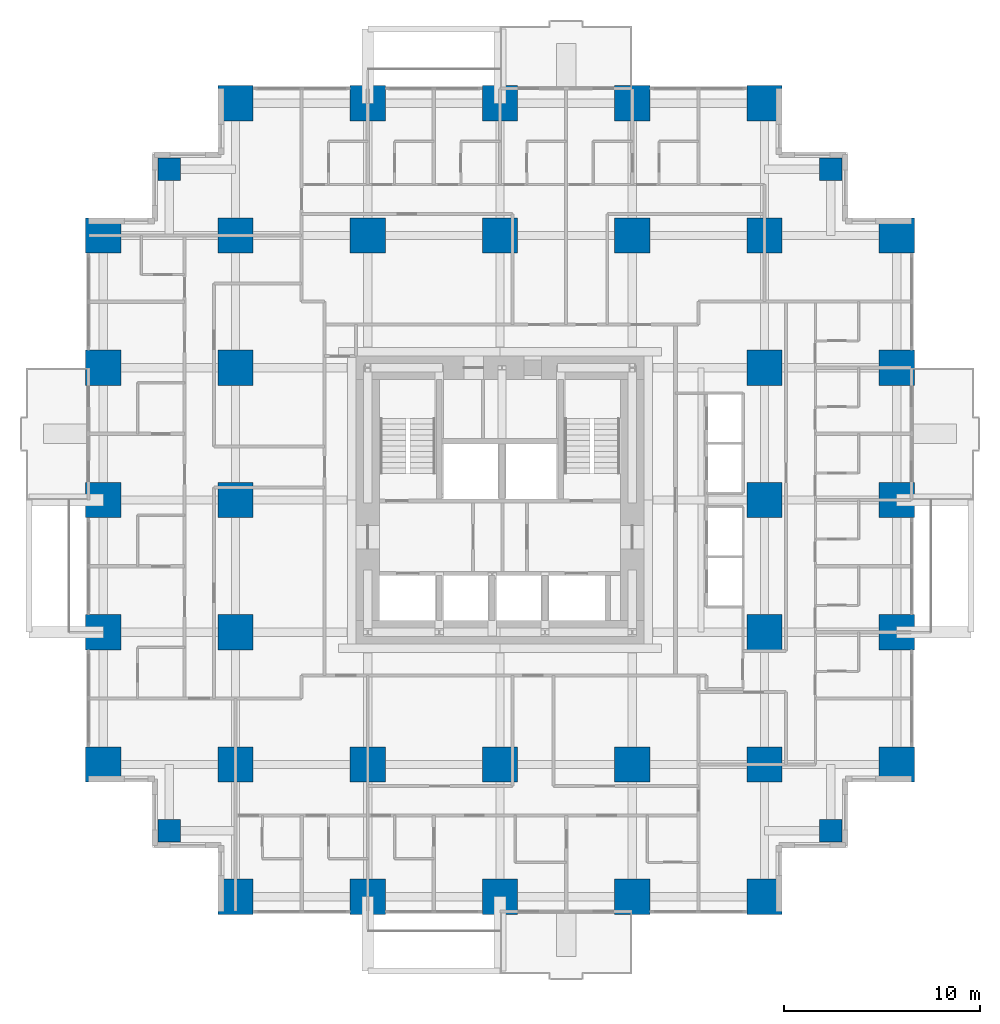
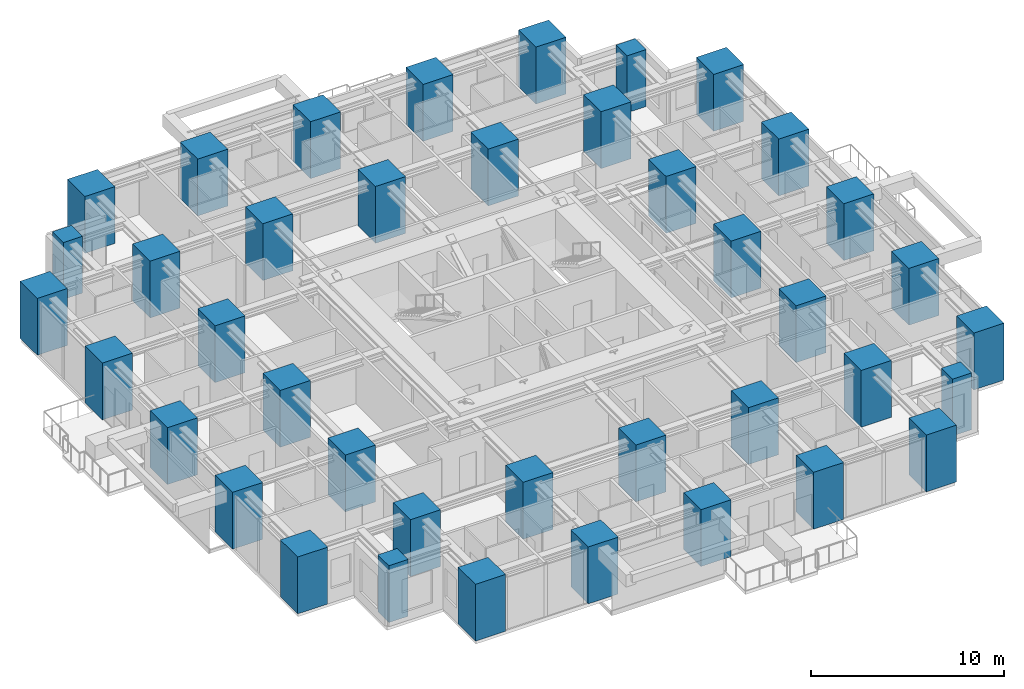
# One storey, part 1 of 14: 40 columns.
"""IFC4 building model written with IfcOpenShell, lengths in metres."""

from ifc_helpers import new_model, si_unit, direction, frame, origin, origin_2d, place, context, subcontext, project, spatial, rectangle, extrude, material, material_profile, profile_set, type_object, element, save


model = new_model("IFC4")

# Units and contexts
model_context = context("Model", 3, precision=1e-05, world=origin(), true_north=direction((0.0, 1.0)))
body_context = subcontext(model_context, "Body", "Model", "MODEL_VIEW")
ifc_project = project(units=[si_unit("LENGTHUNIT", "METRE"), si_unit("AREAUNIT", "SQUARE_METRE"), si_unit("VOLUMEUNIT", "CUBIC_METRE"), si_unit("PLANEANGLEUNIT", "RADIAN"), si_unit("MASSUNIT", "GRAM", prefix="KILO")], contexts=[model_context])

# Site, building, storey
site_placement = place(None, origin())
site = spatial("IfcSite", under=ifc_project, at=site_placement, CompositionType="ELEMENT")
building_placement = place(site_placement, origin())
building = spatial("IfcBuilding", under=site, at=building_placement, Name="Nyansa Garden Tower", CompositionType="ELEMENT")
storey_placement = place(building_placement, frame((0.0, 0.0, 50.39990234375)))
storey = spatial("IfcBuildingStorey", under=building, at=storey_placement, Name="L13", CompositionType="ELEMENT", Elevation=50.39990234375)

# Columns
ifc_material_1 = material(Name="Concrete C70/85", Category="concrete")
ifc_material_profile_1 = material_profile(ifc_material_1, rectangle(XDim=1.14990234375, YDim=1.14990234375, at=origin_2d()), Name="RC 1150x1150")
ifc_profile_set_1 = profile_set([ifc_material_profile_1], Name="Concrete C70/85")
column_type_1 = type_object("IfcColumnType", Name="Column C115 RC 1150x1150", PredefinedType="COLUMN", material=ifc_profile_set_1)
for number, where, z_axis, x_axis, name in (
    (1, (3.375, 3.375, 0.0), (0.0, 0.0, 1.0), (1.0, 0.0, 0.0), "Column x3.375/y3.375 L13"),
    (2, (3.375, 37.125, 0.0), (0.0, 0.0, 1.0), (1.0, 0.0, 0.0), "Column x3.375/y37.125 L13"),
    (3, (37.125, 3.375, 0.0), (0.0, 0.0, 1.0), (1.0, 0.0, 0.0), "Column x37.125/y3.375 L13"),
    (4, (37.125, 37.125, 0.0), (0.0, 0.0, 1.0), (1.0, 0.0, 0.0), "Column x37.125/y37.125 L13"),
):
    element("IfcColumn", number, at=place(storey_placement, frame(where, z_axis=z_axis, x_axis=x_axis)), inside=storey, type_object=column_type_1, Name=name, PredefinedType="COLUMN", context=body_context, shape_type="SweptSolid", body=[
        extrude(rectangle(XDim=1.14990234375, YDim=1.14990234375, at=origin_2d()), origin(), (0.0, 0.0, 1.0), 3.60009765625),
    ])
ifc_material_2 = material(Name="Concrete C80/95", Category="concrete")
ifc_material_profile_2 = material_profile(ifc_material_2, rectangle(XDim=1.800048828125, YDim=1.800048828125, at=origin_2d()), Name="RC 1800x1800")
ifc_profile_set_2 = profile_set([ifc_material_profile_2], Name="Concrete C80/95")
column_type_2 = type_object("IfcColumnType", Name="Column C180 RC 1800x1800", PredefinedType="COLUMN", material=ifc_profile_set_2)
for number, where, z_axis, x_axis, name in (
    (5, (0.0, 6.75, 0.0), (0.0, 0.0, 1.0), (1.0, 0.0, 0.0), "Column 2/E L13"),
    (6, (0.0, 13.5, 0.0), (0.0, 0.0, 1.0), (1.0, 0.0, 0.0), "Column 2/F L13"),
    (7, (0.0, 20.25, 0.0), (0.0, 0.0, 1.0), (1.0, 0.0, 0.0), "Column 2/G L13"),
    (8, (0.0, 27.0, 0.0), (0.0, 0.0, 1.0), (1.0, 0.0, 0.0), "Column 2/H L13"),
    (9, (0.0, 33.75, 0.0), (0.0, 0.0, 1.0), (1.0, 0.0, 0.0), "Column 2/J L13"),
    (10, (6.75, 0.0, 0.0), (0.0, 0.0, 1.0), (1.0, 0.0, 0.0), "Column 3/D L13"),
    (11, (6.75, 6.75, 0.0), (0.0, 0.0, 1.0), (1.0, 0.0, 0.0), "Column 3/E L13"),
    (12, (6.75, 13.5, 0.0), (0.0, 0.0, 1.0), (1.0, 0.0, 0.0), "Column 3/F L13"),
    (13, (6.75, 20.25, 0.0), (0.0, 0.0, 1.0), (1.0, 0.0, 0.0), "Column 3/G L13"),
    (14, (6.75, 27.0, 0.0), (0.0, 0.0, 1.0), (1.0, 0.0, 0.0), "Column 3/H L13"),
    (15, (6.75, 33.75, 0.0), (0.0, 0.0, 1.0), (1.0, 0.0, 0.0), "Column 3/J L13"),
    (16, (6.75, 40.5, 0.0), (0.0, 0.0, 1.0), (1.0, 0.0, 0.0), "Column 3/K L13"),
    (17, (13.5, 0.0, 0.0), (0.0, 0.0, 1.0), (1.0, 0.0, 0.0), "Column 4/D L13"),
    (18, (13.5, 6.75, 0.0), (0.0, 0.0, 1.0), (1.0, 0.0, 0.0), "Column 4/E L13"),
    (19, (13.5, 33.75, 0.0), (0.0, 0.0, 1.0), (1.0, 0.0, 0.0), "Column 4/J L13"),
    (20, (13.5, 40.5, 0.0), (0.0, 0.0, 1.0), (1.0, 0.0, 0.0), "Column 4/K L13"),
    (21, (20.25, 0.0, 0.0), (0.0, 0.0, 1.0), (1.0, 0.0, 0.0), "Column 5/D L13"),
    (22, (20.25, 6.75, 0.0), (0.0, 0.0, 1.0), (1.0, 0.0, 0.0), "Column 5/E L13"),
    (23, (20.25, 33.75, 0.0), (0.0, 0.0, 1.0), (1.0, 0.0, 0.0), "Column 5/J L13"),
    (24, (20.25, 40.5, 0.0), (0.0, 0.0, 1.0), (1.0, 0.0, 0.0), "Column 5/K L13"),
    (25, (27.0, 0.0, 0.0), (0.0, 0.0, 1.0), (1.0, 0.0, 0.0), "Column 6/D L13"),
    (26, (27.0, 6.75, 0.0), (0.0, 0.0, 1.0), (1.0, 0.0, 0.0), "Column 6/E L13"),
    (27, (27.0, 33.75, 0.0), (0.0, 0.0, 1.0), (1.0, 0.0, 0.0), "Column 6/J L13"),
    (28, (27.0, 40.5, 0.0), (0.0, 0.0, 1.0), (1.0, 0.0, 0.0), "Column 6/K L13"),
    (29, (33.75, 0.0, 0.0), (0.0, 0.0, 1.0), (1.0, 0.0, 0.0), "Column 7/D L13"),
    (30, (33.75, 6.75, 0.0), (0.0, 0.0, 1.0), (1.0, 0.0, 0.0), "Column 7/E L13"),
    (31, (33.75, 13.5, 0.0), (0.0, 0.0, 1.0), (1.0, 0.0, 0.0), "Column 7/F L13"),
    (32, (33.75, 20.25, 0.0), (0.0, 0.0, 1.0), (1.0, 0.0, 0.0), "Column 7/G L13"),
    (33, (33.75, 27.0, 0.0), (0.0, 0.0, 1.0), (1.0, 0.0, 0.0), "Column 7/H L13"),
    (34, (33.75, 33.75, 0.0), (0.0, 0.0, 1.0), (1.0, 0.0, 0.0), "Column 7/J L13"),
    (35, (33.75, 40.5, 0.0), (0.0, 0.0, 1.0), (1.0, 0.0, 0.0), "Column 7/K L13"),
    (36, (40.5, 6.75, 0.0), (0.0, 0.0, 1.0), (1.0, 0.0, 0.0), "Column 8/E L13"),
    (37, (40.5, 13.5, 0.0), (0.0, 0.0, 1.0), (1.0, 0.0, 0.0), "Column 8/F L13"),
    (38, (40.5, 20.25, 0.0), (0.0, 0.0, 1.0), (1.0, 0.0, 0.0), "Column 8/G L13"),
    (39, (40.5, 27.0, 0.0), (0.0, 0.0, 1.0), (1.0, 0.0, 0.0), "Column 8/H L13"),
    (40, (40.5, 33.75, 0.0), (0.0, 0.0, 1.0), (1.0, 0.0, 0.0), "Column 8/J L13"),
):
    element("IfcColumn", number, at=place(storey_placement, frame(where, z_axis=z_axis, x_axis=x_axis)), inside=storey, type_object=column_type_2, Name=name, PredefinedType="COLUMN", context=body_context, shape_type="SweptSolid", body=[
        extrude(rectangle(XDim=1.800048828125, YDim=1.800048828125, at=origin_2d()), origin(), (0.0, 0.0, 1.0), 3.60009765625),
    ])

save(model, "model.ifc")
